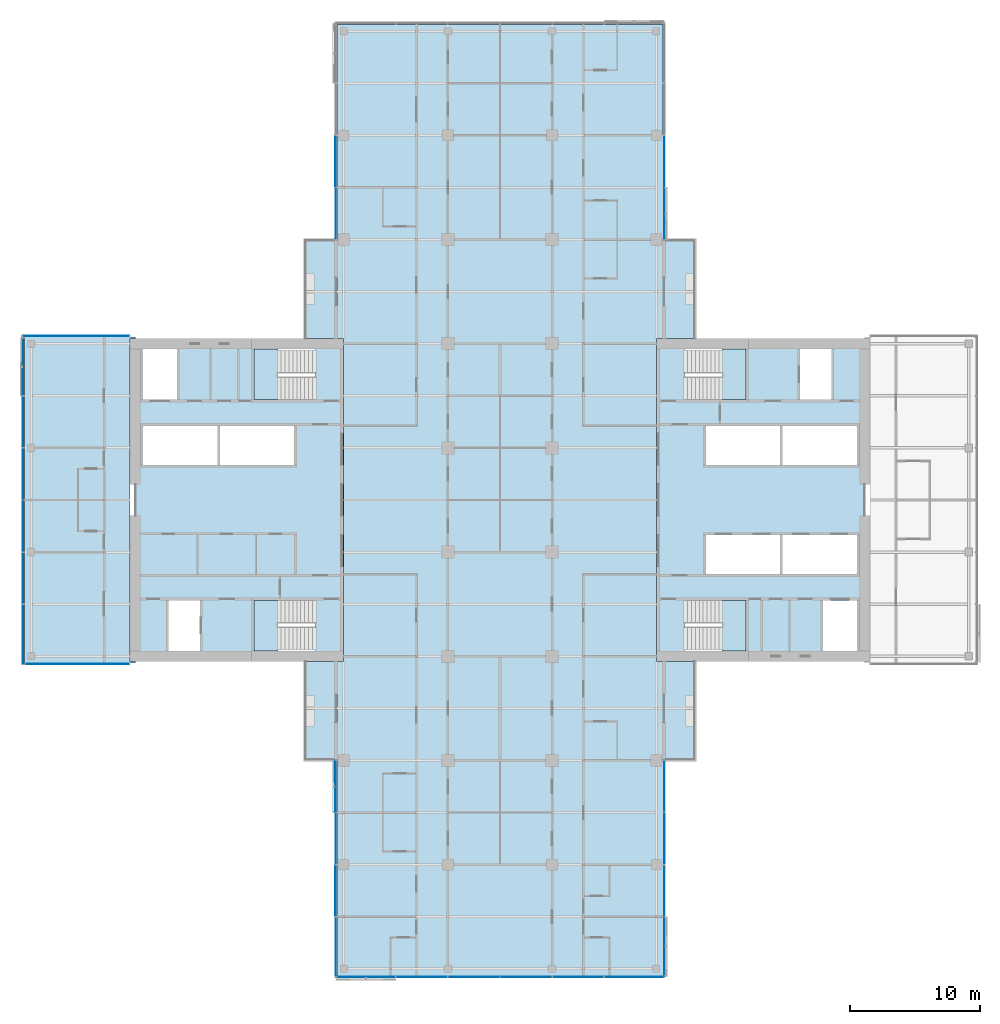
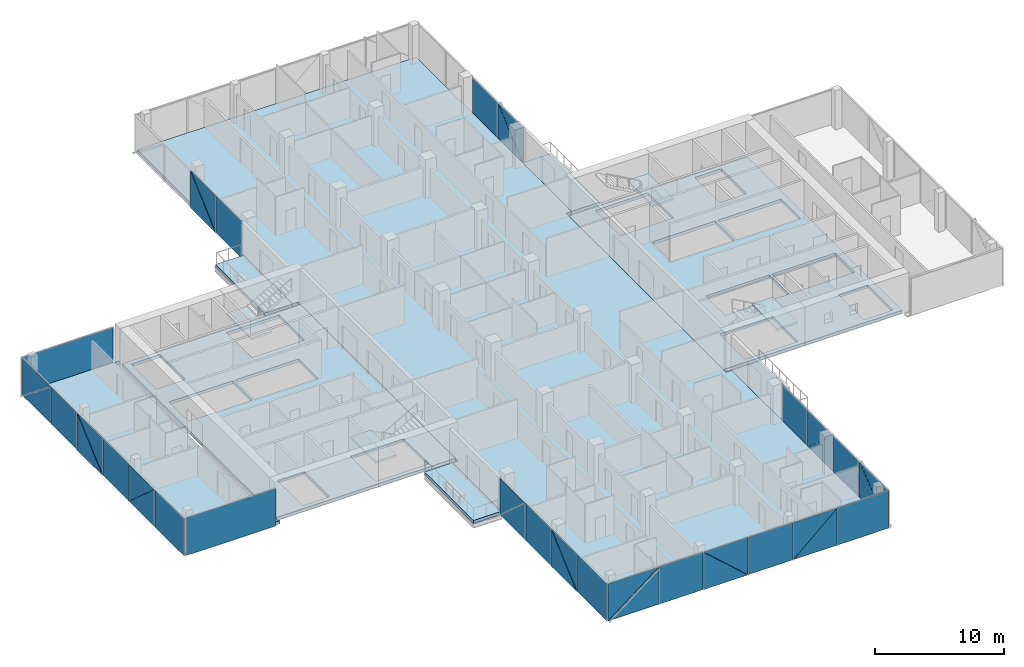
# One storey, part 13 of 27: 38 plates, 12 slabs, 12 elements without a shape of their own.
"""IFC4 building model written with IfcOpenShell, lengths in metres."""

from ifc_helpers import new_model, si_unit, direction, frame, origin, place, context, subcontext, project, spatial, polyline, outline, extrude, material, layer, layer_set, type_object, element, aggregate, save


model = new_model("IFC4")

# Units and contexts
model_context = context("Model", 3, precision=1e-05, world=origin(), true_north=direction((0.0, 1.0)))
body_context = subcontext(model_context, "Body", "Model", "MODEL_VIEW")
ifc_project = project(units=[si_unit("LENGTHUNIT", "METRE"), si_unit("AREAUNIT", "SQUARE_METRE"), si_unit("VOLUMEUNIT", "CUBIC_METRE"), si_unit("PLANEANGLEUNIT", "RADIAN"), si_unit("MASSUNIT", "GRAM", prefix="KILO")], contexts=[model_context])

# Site, building, storey
site_placement = place(None, origin())
site = spatial("IfcSite", under=ifc_project, at=site_placement, CompositionType="ELEMENT")
building_placement = place(site_placement, origin())
building = spatial("IfcBuilding", under=site, at=building_placement, Name="Crosswind Convention Tower", CompositionType="ELEMENT")
storey_placement = place(building_placement, frame((0.0, 0.0, 101.60009765625)))
storey = spatial("IfcBuildingStorey", under=building, at=storey_placement, Name="L20", CompositionType="ELEMENT", Elevation=101.60009765625)

# Slabs
ifc_material_1 = material(Name="Concrete C40/50", Category="concrete")
ifc_layer_1 = layer(ifc_material_1, 0.280029296875)
ifc_layer_set_1 = layer_set([ifc_layer_1], Name="Concrete C40/50")
slab_type_1 = type_object("IfcSlabType", Name="BALCONY SLAB 280", PredefinedType="USERDEFINED", material=ifc_layer_set_1)
slab_1_placement = place(storey_placement, frame((0.0, 0.0, -0.280029296875)))
element("IfcSlab", 1, at=slab_1_placement, inside=storey, type_object=slab_type_1, Name="BALCONY L20 N-E.1-1", ObjectType="BALCONY", PredefinedType="USERDEFINED", context=body_context, shape_type="SweptSolid", body=[
    extrude(outline(polyline([(137.5, 112.39990234375), (137.5, 120.0), (140.0, 120.0), (140.0, 112.39990234375), (137.5, 112.39990234375)])), origin(), (0.0, 0.0, 1.0), 0.280029296875),
])
slab_2_placement = place(storey_placement, frame((0.0, 0.0, -0.280029296875)))
element("IfcSlab", 2, at=slab_2_placement, inside=storey, type_object=slab_type_1, Name="BALCONY L20 N-W.1-3", ObjectType="BALCONY", PredefinedType="USERDEFINED", context=body_context, shape_type="SweptSolid", body=[
    extrude(outline(polyline([(112.5, 120.0), (112.5, 112.39990234375), (110.0, 112.39990234375), (110.0, 120.0), (112.5, 120.0)])), origin(), (0.0, 0.0, 1.0), 0.280029296875),
])
slab_3_placement = place(storey_placement, frame((0.0, 0.0, -0.280029296875)))
element("IfcSlab", 3, at=slab_3_placement, inside=storey, type_object=slab_type_1, Name="BALCONY L20 S-W.1-1", ObjectType="BALCONY", PredefinedType="USERDEFINED", context=body_context, shape_type="SweptSolid", body=[
    extrude(outline(polyline([(112.5, 87.60009765625), (112.5, 80.0), (110.0, 80.0), (110.0, 87.60009765625), (112.5, 87.60009765625)])), origin(), (0.0, 0.0, 1.0), 0.280029296875),
])
slab_4_placement = place(storey_placement, frame((0.0, 0.0, -0.280029296875)))
element("IfcSlab", 4, at=slab_4_placement, inside=storey, type_object=slab_type_1, Name="BALCONY L20 S-E.1-3", ObjectType="BALCONY", PredefinedType="USERDEFINED", context=body_context, shape_type="SweptSolid", body=[
    extrude(outline(polyline([(137.5, 80.0), (137.5, 87.60009765625), (140.0, 87.60009765625), (140.0, 80.0), (137.5, 80.0)])), origin(), (0.0, 0.0, 1.0), 0.280029296875),
])
ifc_layer_2 = layer(ifc_material_1, 0.280029296875)
ifc_layer_set_2 = layer_set([ifc_layer_2], Name="Concrete C40/50")
slab_type_2 = type_object("IfcSlabType", Name="Composite floor slab 280", PredefinedType="FLOOR", material=ifc_layer_set_2)
slab_5_placement = place(storey_placement, frame((0.0, 0.0, -0.280029296875)))
element("IfcSlab", 5, at=slab_5_placement, inside=storey, type_object=slab_type_2, Name="Floor slab L20 part 1", PredefinedType="FLOOR", context=body_context, shape_type="SweptSolid", body=[
    extrude(outline(polyline([(97.0, 87.5), (89.0, 87.5), (88.5, 87.5), (88.5, 88.0), (88.5, 112.0), (88.5, 112.5), (89.0, 112.5), (97.0, 112.5), (97.0, 112.39990234375), (96.60009765625, 112.39990234375), (96.60009765625, 87.60009765625), (97.0, 87.60009765625), (97.0, 87.5)])), origin(), (0.0, 0.0, 1.0), 0.280029296875),
])
slab_6_placement = place(storey_placement, frame((0.0, 0.0, -0.280029296875)))
element("IfcSlab", 6, at=slab_6_placement, inside=storey, type_object=slab_type_2, Name="Floor slab L20 part 2", PredefinedType="FLOOR", context=body_context, shape_type="SweptSolid", body=[
    extrude(outline(polyline([(112.5, 87.60009765625), (113.0, 87.60009765625), (113.0, 112.39990234375), (112.5, 112.39990234375), (112.5, 136.0), (112.5, 136.5), (113.0, 136.5), (137.0, 136.5), (137.5, 136.5), (137.5, 136.0), (137.5, 112.39990234375), (137.0, 112.39990234375), (137.0, 87.60009765625), (137.5, 87.60009765625), (137.5, 64.0), (137.5, 63.5), (137.0, 63.5), (113.0, 63.5), (112.5, 63.5), (112.5, 64.0), (112.5, 87.60009765625)])), origin(), (0.0, 0.0, 1.0), 0.280029296875),
])
ifc_layer_3 = layer(ifc_material_1, 0.280029296875)
ifc_layer_set_3 = layer_set([ifc_layer_3], Name="Concrete C40/50")
slab_type_3 = type_object("IfcSlabType", Name="Concrete core floor slab 280", PredefinedType="FLOOR", material=ifc_layer_set_3)
slab_7_placement = place(storey_placement, frame((0.0, 0.0, -0.280029296875)))
element("IfcSlab", 7, at=slab_7_placement, inside=storey, type_object=slab_type_3, Name="Core floor slab E L20", PredefinedType="FLOOR", context=body_context, shape_type="SweptSolid", body=[
    extrude(outline(polyline([(137.0, 88.0), (153.0, 88.0), (153.0, 112.0), (137.0, 112.0), (137.0, 88.0)]), holes=[polyline([(146.5, 102.699951171875), (146.5, 105.699951171875), (140.800048828125, 105.699951171875), (140.800048828125, 102.699951171875), (146.5, 102.699951171875)]), polyline([(152.39990234375, 102.699951171875), (152.39990234375, 105.699951171875), (146.699951171875, 105.699951171875), (146.699951171875, 102.699951171875), (152.39990234375, 102.699951171875)]), polyline([(146.5, 94.300048828125), (146.5, 97.300048828125), (140.800048828125, 97.300048828125), (140.800048828125, 94.300048828125), (146.5, 94.300048828125)]), polyline([(152.39990234375, 94.300048828125), (152.39990234375, 97.300048828125), (146.699951171875, 97.300048828125), (146.699951171875, 94.300048828125), (152.39990234375, 94.300048828125)]), polyline([(150.449951171875, 107.699951171875), (150.449951171875, 111.60009765625), (148.050048828125, 111.60009765625), (148.050048828125, 107.699951171875), (150.449951171875, 107.699951171875)]), polyline([(152.39990234375, 88.39990234375), (152.39990234375, 92.300048828125), (149.800048828125, 92.300048828125), (149.800048828125, 88.39990234375), (152.39990234375, 88.39990234375)]), polyline([(143.89990234375, 107.699951171875), (143.89990234375, 111.60009765625), (139.14990234375, 111.60009765625), (139.14990234375, 107.699951171875), (143.89990234375, 107.699951171875)]), polyline([(143.89990234375, 88.39990234375), (143.89990234375, 92.300048828125), (139.14990234375, 92.300048828125), (139.14990234375, 88.39990234375), (143.89990234375, 88.39990234375)])]), origin(), (0.0, 0.0, 1.0), 0.280029296875),
])
slab_8_placement = place(storey_placement, frame((0.0, 0.0, -0.280029296875)))
element("IfcSlab", 8, at=slab_8_placement, inside=storey, type_object=slab_type_3, Name="Core floor slab W L20", PredefinedType="FLOOR", context=body_context, shape_type="SweptSolid", body=[
    extrude(outline(polyline([(97.0, 88.0), (113.0, 88.0), (113.0, 112.0), (97.0, 112.0), (97.0, 88.0)]), holes=[polyline([(109.199951171875, 102.699951171875), (109.199951171875, 105.699951171875), (103.5, 105.699951171875), (103.5, 102.699951171875), (109.199951171875, 102.699951171875)]), polyline([(103.300048828125, 102.699951171875), (103.300048828125, 105.699951171875), (97.60009765625, 105.699951171875), (97.60009765625, 102.699951171875), (103.300048828125, 102.699951171875)]), polyline([(101.949951171875, 88.39990234375), (101.949951171875, 92.300048828125), (99.550048828125, 92.300048828125), (99.550048828125, 88.39990234375), (101.949951171875, 88.39990234375)]), polyline([(100.199951171875, 107.699951171875), (100.199951171875, 111.60009765625), (97.60009765625, 111.60009765625), (97.60009765625, 107.699951171875), (100.199951171875, 107.699951171875)]), polyline([(110.85009765625, 88.39990234375), (110.85009765625, 92.300048828125), (106.10009765625, 92.300048828125), (106.10009765625, 88.39990234375), (110.85009765625, 88.39990234375)]), polyline([(110.85009765625, 107.699951171875), (110.85009765625, 111.60009765625), (106.10009765625, 111.60009765625), (106.10009765625, 107.699951171875), (110.85009765625, 107.699951171875)])]), origin(), (0.0, 0.0, 1.0), 0.280029296875),
])

# Stair, slab
stair_type = type_object("IfcStairType", Name="Exit stair 1800 wide, 2 flights of 11 risers", PredefinedType="HALF_TURN_STAIR", material=ifc_material_1)
stair_1_placement = place(storey_placement, origin())
stair_1 = element("IfcStair", 9, at=stair_1_placement, inside=storey, type_object=stair_type, Name="Exit stair ST1 L20", ObjectType="ST5", PredefinedType="HALF_TURN_STAIR")
ifc_layer_4 = layer(ifc_material_1, 0.199951171875)
ifc_layer_set_4 = layer_set([ifc_layer_4], Name="Concrete C40/50")
slab_type_4 = type_object("IfcSlabType", Name="Stair landing 200", PredefinedType="LANDING", material=ifc_layer_set_4)
slab_9_placement = place(storey_placement, frame((0.0, 0.0, 1.64990234375)))
slab_9 = element("IfcSlab", 10, at=slab_9_placement, type_object=slab_type_4, Name="ST1 landing 1", PredefinedType="LANDING", context=body_context, shape_type="SweptSolid", body=[
    extrude(outline(polyline([(143.89990234375, 107.699951171875), (143.89990234375, 111.60009765625), (142.050048828125, 111.60009765625), (142.050048828125, 107.699951171875), (143.89990234375, 107.699951171875)])), origin(), (0.0, 0.0, 1.0), 0.199951171875),
])
aggregate(stair_1, [slab_9])

stair_2_placement = place(storey_placement, origin())
stair_2 = element("IfcStair", 11, at=stair_2_placement, inside=storey, type_object=stair_type, Name="Exit stair ST2 L20", ObjectType="ST5", PredefinedType="HALF_TURN_STAIR")
slab_10_placement = place(storey_placement, frame((0.0, 0.0, 1.64990234375)))
slab_10 = element("IfcSlab", 12, at=slab_10_placement, type_object=slab_type_4, Name="ST2 landing 1", PredefinedType="LANDING", context=body_context, shape_type="SweptSolid", body=[
    extrude(outline(polyline([(143.89990234375, 88.39990234375), (143.89990234375, 92.300048828125), (142.050048828125, 92.300048828125), (142.050048828125, 88.39990234375), (143.89990234375, 88.39990234375)])), origin(), (0.0, 0.0, 1.0), 0.199951171875),
])
aggregate(stair_2, [slab_10])

stair_3_placement = place(storey_placement, origin())
stair_3 = element("IfcStair", 13, at=stair_3_placement, inside=storey, type_object=stair_type, Name="Exit stair ST3 L20", ObjectType="ST5", PredefinedType="HALF_TURN_STAIR")
slab_11_placement = place(storey_placement, frame((0.0, 0.0, 1.64990234375)))
slab_11 = element("IfcSlab", 14, at=slab_11_placement, type_object=slab_type_4, Name="ST3 landing 1", PredefinedType="LANDING", context=body_context, shape_type="SweptSolid", body=[
    extrude(outline(polyline([(107.949951171875, 88.39990234375), (107.949951171875, 92.300048828125), (106.10009765625, 92.300048828125), (106.10009765625, 88.39990234375), (107.949951171875, 88.39990234375)])), origin(), (0.0, 0.0, 1.0), 0.199951171875),
])
aggregate(stair_3, [slab_11])

stair_4_placement = place(storey_placement, origin())
stair_4 = element("IfcStair", 15, at=stair_4_placement, inside=storey, type_object=stair_type, Name="Exit stair ST4 L20", ObjectType="ST5", PredefinedType="HALF_TURN_STAIR")
slab_12_placement = place(storey_placement, frame((0.0, 0.0, 1.64990234375)))
slab_12 = element("IfcSlab", 16, at=slab_12_placement, type_object=slab_type_4, Name="ST4 landing 1", PredefinedType="LANDING", context=body_context, shape_type="SweptSolid", body=[
    extrude(outline(polyline([(107.949951171875, 107.699951171875), (107.949951171875, 111.60009765625), (106.10009765625, 111.60009765625), (106.10009765625, 107.699951171875), (107.949951171875, 107.699951171875)])), origin(), (0.0, 0.0, 1.0), 0.199951171875),
])
aggregate(stair_4, [slab_12])

# Curtain wall, plate
ifc_material_2 = material(Name="Aluminium unitised curtain wall", Category="aluminium")
curtain_wall_type_1 = type_object("IfcCurtainWallType", Name="CORE END SLOT WALL 160", PredefinedType="USERDEFINED", material=ifc_material_2)
curtain_wall_1_placement = place(storey_placement, origin())
curtain_wall_1 = element("IfcCurtainWall", 17, at=curtain_wall_1_placement, inside=storey, type_object=curtain_wall_type_1, Name="CW6 L20 W-N.2-1 slot", ObjectType="UNITISED", PredefinedType="USERDEFINED")
ifc_material_3 = material(Name="Laminated insulating glass unit", Category="glass")
ifc_layer_5 = layer(ifc_material_3, 0.02587890625)
ifc_layer_set_5 = layer_set([ifc_layer_5], Name="TRIANGULAR GLASS PANEL 26")
plate_type_1 = type_object("IfcPlateType", Name="TRIANGULAR GLASS PANEL 26", PredefinedType="CURTAIN_PANEL", material=ifc_layer_set_5)
plate_1_placement = place(storey_placement, frame((96.550048828125, 112.606689453125, -0.280029296875), z_axis=(0.0, 0.999999913901, 0.000414966421), x_axis=(-1.0, 0.0, 0.0)))
plate_1 = element("IfcPlate", 18, at=plate_1_placement, type_object=plate_type_1, Name="CW6 panel 1.1", PredefinedType="CURTAIN_PANEL", context=body_context, shape_type="SweptSolid", body=[
    extrude(outline(polyline([(0.0, 0.0), (8.199951171875, 0.0), (8.199951171875, 3.5300296008054977), (0.0, 3.5300296008054977), (0.0, 0.0)])), origin(), (0.0, 0.0, -1.0), 0.02587890625),
])
aggregate(curtain_wall_1, [plate_1])

curtain_wall_2_placement = place(storey_placement, origin())
curtain_wall_2 = element("IfcCurtainWall", 19, at=curtain_wall_2_placement, inside=storey, type_object=curtain_wall_type_1, Name="CW6 L20 W-S.1-1 slot", ObjectType="UNITISED", PredefinedType="USERDEFINED")
plate_2_placement = place(storey_placement, frame((88.550048828125, 87.393310546875, -0.280029296875), z_axis=(0.0, -0.999999913901, 0.000414966421), x_axis=(1.0, 0.0, 0.0)))
plate_2 = element("IfcPlate", 20, at=plate_2_placement, type_object=plate_type_1, Name="CW6 panel 1.1", PredefinedType="CURTAIN_PANEL", context=body_context, shape_type="SweptSolid", body=[
    extrude(outline(polyline([(0.0, 0.0), (8.0, 0.0), (8.0, 3.5300296008054977), (0.0, 3.5300296008054977), (0.0, 0.0)])), origin(), (0.0, 0.0, -1.0), 0.02587890625),
])
aggregate(curtain_wall_2, [plate_2])

# Curtain wall, plates
curtain_wall_type_2 = type_object("IfcCurtainWallType", Name="HOTEL UNITISED WALL 200", PredefinedType="USERDEFINED", material=ifc_material_2)
curtain_wall_3_placement = place(storey_placement, origin())
curtain_wall_3 = element("IfcCurtainWall", 21, at=curtain_wall_3_placement, inside=storey, type_object=curtain_wall_type_2, Name="CW2 L20 N-E 1", ObjectType="UNITISED", PredefinedType="USERDEFINED")
ifc_layer_6 = layer(ifc_material_3, 0.028076171875)
ifc_layer_set_6 = layer_set([ifc_layer_6], Name="TRIANGULAR GLASS PANEL 28")
plate_type_2 = type_object("IfcPlateType", Name="TRIANGULAR GLASS PANEL 28", PredefinedType="CURTAIN_PANEL", material=ifc_layer_set_6)
plate_3_placement = place(storey_placement, frame((137.628662109375, 123.967529296875, -0.280029296875), z_axis=(0.999999912491, 0.0, 0.000418351658), x_axis=(-0.000418351658, 0.0, 0.999999912491)))
plate_3 = element("IfcPlate", 22, at=plate_3_placement, type_object=plate_type_2, Name="CW2 panel 1.1", PredefinedType="CURTAIN_PANEL", context=body_context, shape_type="SweptSolid", body=[
    extrude(outline(polyline([(0.0, 0.0), (3.5014651501599188, 0.0), (0.0, 3.919921875), (0.0, 0.0)])), origin(), (0.0, 0.0, -1.0), 0.028076171875),
])
plate_4_placement = place(storey_placement, frame((137.6572265625, 120.032470703125, 3.23486328125), z_axis=(0.999999912491, 0.0, 0.000418351658), x_axis=(0.000418351658, 0.0, -0.999999912491)))
plate_4 = element("IfcPlate", 23, at=plate_4_placement, type_object=plate_type_2, Name="CW2 panel 1.2", PredefinedType="CURTAIN_PANEL", context=body_context, shape_type="SweptSolid", body=[
    extrude(outline(polyline([(0.0, 0.0), (3.5014651501599188, 0.0), (0.0, 3.919921875), (0.0, 0.0)])), origin(), (0.0, 0.0, -1.0), 0.028076171875),
])
plate_5_placement = place(storey_placement, frame((137.628662109375, 124.032470703125, -0.280029296875), z_axis=(0.999999913158, 0.0, 0.000416753454), x_axis=(0.0, 1.0, 0.0)))
plate_5 = element("IfcPlate", 24, at=plate_5_placement, type_object=plate_type_2, Name="CW2 panel 2.1", PredefinedType="CURTAIN_PANEL", context=body_context, shape_type="SweptSolid", body=[
    extrude(outline(polyline([(0.0, 0.0), (3.93505859375, 0.0), (3.93505859375, 3.514892883364359), (0.0, 3.514892883364359), (0.0, 0.0)])), origin(), (0.0, 0.0, -1.0), 0.028076171875),
])
aggregate(curtain_wall_3, [plate_3, plate_4, plate_5])

curtain_wall_4_placement = place(storey_placement, origin())
curtain_wall_4 = element("IfcCurtainWall", 25, at=curtain_wall_4_placement, inside=storey, type_object=curtain_wall_type_2, Name="CW2 L20 N-W 1", ObjectType="UNITISED", PredefinedType="USERDEFINED")
plate_6_placement = place(storey_placement, frame((112.372802734375, 124.032470703125, 3.23486328125), z_axis=(-0.999999912491, 0.0, 0.000418351658), x_axis=(0.0, 1.0, 0.0)))
plate_6 = element("IfcPlate", 26, at=plate_6_placement, type_object=plate_type_2, Name="CW2 panel 3.1", PredefinedType="CURTAIN_PANEL", context=body_context, shape_type="SweptSolid", body=[
    extrude(outline(polyline([(0.0, 0.0), (3.919921875, 0.0), (0.0, 3.5014651501599188), (0.0, 0.0)])), origin(), (0.0, 0.0, -1.0), 0.028076171875),
])
plate_7_placement = place(storey_placement, frame((112.34130859375, 127.967529296875, -0.280029296875), z_axis=(-0.999999912491, 0.0, 0.000418351658), x_axis=(0.0, -1.0, 0.0)))
plate_7 = element("IfcPlate", 27, at=plate_7_placement, type_object=plate_type_2, Name="CW2 panel 3.2", PredefinedType="CURTAIN_PANEL", context=body_context, shape_type="SweptSolid", body=[
    extrude(outline(polyline([(0.0, 0.0), (3.919921875, 0.0), (0.0, 3.5014651501599188), (0.0, 0.0)])), origin(), (0.0, 0.0, -1.0), 0.028076171875),
])
plate_8_placement = place(storey_placement, frame((112.371337890625, 123.967529296875, -0.280029296875), z_axis=(-0.999999913158, 0.0, 0.000416753454), x_axis=(0.0, -1.0, 0.0)))
plate_8 = element("IfcPlate", 28, at=plate_8_placement, type_object=plate_type_2, Name="CW2 panel 4.1", PredefinedType="CURTAIN_PANEL", context=body_context, shape_type="SweptSolid", body=[
    extrude(outline(polyline([(0.0, 0.0), (3.93505859375, 0.0), (3.93505859375, 3.514892883364359), (0.0, 3.514892883364359), (0.0, 0.0)])), origin(), (0.0, 0.0, -1.0), 0.028076171875),
])
aggregate(curtain_wall_4, [plate_6, plate_7, plate_8])

curtain_wall_5_placement = place(storey_placement, origin())
curtain_wall_5 = element("IfcCurtainWall", 29, at=curtain_wall_5_placement, inside=storey, type_object=curtain_wall_type_2, Name="CW2 L20 W-TIP 1", ObjectType="UNITISED", PredefinedType="USERDEFINED")
plate_9_placement = place(storey_placement, frame((88.371337890625, 108.032470703125, -0.280029296875), z_axis=(-0.999999912528, 0.0, 0.000418264167), x_axis=(0.000418264167, 0.0, 0.999999912528)))
plate_9 = element("IfcPlate", 30, at=plate_9_placement, type_object=plate_type_2, Name="CW2 panel 1.1", PredefinedType="CURTAIN_PANEL", context=body_context, shape_type="SweptSolid", body=[
    extrude(outline(polyline([(0.0, 0.0), (3.502197571970839, 0.0), (0.0, 4.386474609375001), (0.0, 0.0)])), origin(), (0.0, 0.0, -1.0), 0.028076171875),
])
plate_10_placement = place(storey_placement, frame((88.3427734375, 112.43505859375, 3.23486328125), z_axis=(-0.999999912528, 0.0, 0.000418264167), x_axis=(-0.000418264167, 0.0, -0.999999912528)))
plate_10 = element("IfcPlate", 31, at=plate_10_placement, type_object=plate_type_2, Name="CW2 panel 1.2", PredefinedType="CURTAIN_PANEL", context=body_context, shape_type="SweptSolid", body=[
    extrude(outline(polyline([(0.0, 0.0), (3.502197571970839, 0.0), (0.0, 4.386474609375001), (0.0, 0.0)])), origin(), (0.0, 0.0, -1.0), 0.028076171875),
])
plate_11_placement = place(storey_placement, frame((88.371337890625, 107.967529296875, -0.280029296875), z_axis=(-0.999999913158, 0.0, 0.000416753454), x_axis=(0.0, -1.0, 0.0)))
plate_11 = element("IfcPlate", 32, at=plate_11_placement, type_object=plate_type_2, Name="CW2 panel 2.1", PredefinedType="CURTAIN_PANEL", context=body_context, shape_type="SweptSolid", body=[
    extrude(outline(polyline([(0.0, 0.0), (3.93505859375, 0.0), (3.93505859375, 3.514892883364359), (0.0, 3.514892883364359), (0.0, 0.0)])), origin(), (0.0, 0.0, -1.0), 0.028076171875),
])
plate_12_placement = place(storey_placement, frame((88.372802734375, 100.032470703125, 3.23486328125), z_axis=(-0.999999912491, 0.0, 0.000418351658), x_axis=(0.0, 1.0, 0.0)))
plate_12 = element("IfcPlate", 33, at=plate_12_placement, type_object=plate_type_2, Name="CW2 panel 3.1", PredefinedType="CURTAIN_PANEL", context=body_context, shape_type="SweptSolid", body=[
    extrude(outline(polyline([(0.0, 0.0), (3.919921875, 0.0), (0.0, 3.5014651501599188), (0.0, 0.0)])), origin(), (0.0, 0.0, -1.0), 0.028076171875),
])
plate_13_placement = place(storey_placement, frame((88.34130859375, 103.967529296875, -0.280029296875), z_axis=(-0.999999912491, 0.0, 0.000418351658), x_axis=(0.0, -1.0, 0.0)))
plate_13 = element("IfcPlate", 34, at=plate_13_placement, type_object=plate_type_2, Name="CW2 panel 3.2", PredefinedType="CURTAIN_PANEL", context=body_context, shape_type="SweptSolid", body=[
    extrude(outline(polyline([(0.0, 0.0), (3.919921875, 0.0), (0.0, 3.5014651501599188), (0.0, 0.0)])), origin(), (0.0, 0.0, -1.0), 0.028076171875),
])
plate_14_placement = place(storey_placement, frame((88.371337890625, 99.967529296875, -0.280029296875), z_axis=(-0.999999913158, 0.0, 0.000416753454), x_axis=(0.0, -1.0, 0.0)))
plate_14 = element("IfcPlate", 35, at=plate_14_placement, type_object=plate_type_2, Name="CW2 panel 4.1", PredefinedType="CURTAIN_PANEL", context=body_context, shape_type="SweptSolid", body=[
    extrude(outline(polyline([(0.0, 0.0), (3.93505859375, 0.0), (3.93505859375, 3.514892883364359), (0.0, 3.514892883364359), (0.0, 0.0)])), origin(), (0.0, 0.0, -1.0), 0.028076171875),
])
plate_15_placement = place(storey_placement, frame((88.371337890625, 92.032470703125, -0.280029296875), z_axis=(-0.999999912491, 0.0, 0.000418351658), x_axis=(0.000418351658, 0.0, 0.999999912491)))
plate_15 = element("IfcPlate", 36, at=plate_15_placement, type_object=plate_type_2, Name="CW2 panel 5.1", PredefinedType="CURTAIN_PANEL", context=body_context, shape_type="SweptSolid", body=[
    extrude(outline(polyline([(0.0, 0.0), (3.5014651501599188, 0.0), (0.0, 3.919921875), (0.0, 0.0)])), origin(), (0.0, 0.0, -1.0), 0.028076171875),
])
plate_16_placement = place(storey_placement, frame((88.3427734375, 95.967529296875, 3.23486328125), z_axis=(-0.999999912491, 0.0, 0.000418351658), x_axis=(-0.000418351658, 0.0, -0.999999912491)))
plate_16 = element("IfcPlate", 37, at=plate_16_placement, type_object=plate_type_2, Name="CW2 panel 5.2", PredefinedType="CURTAIN_PANEL", context=body_context, shape_type="SweptSolid", body=[
    extrude(outline(polyline([(0.0, 0.0), (3.5014651501599188, 0.0), (0.0, 3.919921875), (0.0, 0.0)])), origin(), (0.0, 0.0, -1.0), 0.028076171875),
])
plate_17_placement = place(storey_placement, frame((88.371337890625, 91.967529296875, -0.280029296875), z_axis=(-0.999999913158, 0.0, 0.000416753454), x_axis=(0.0, -1.0, 0.0)))
plate_17 = element("IfcPlate", 38, at=plate_17_placement, type_object=plate_type_2, Name="CW2 panel 6.1", PredefinedType="CURTAIN_PANEL", context=body_context, shape_type="SweptSolid", body=[
    extrude(outline(polyline([(0.0, 0.0), (4.5625, 0.0), (4.5625, 3.514892883364359), (0.0, 3.514892883364359), (0.0, 0.0)])), origin(), (0.0, 0.0, -1.0), 0.028076171875),
])
aggregate(curtain_wall_5, [plate_9, plate_10, plate_11, plate_12, plate_13, plate_14, plate_15, plate_16, plate_17])

curtain_wall_6_placement = place(storey_placement, origin())
curtain_wall_6 = element("IfcCurtainWall", 39, at=curtain_wall_6_placement, inside=storey, type_object=curtain_wall_type_2, Name="CW2 L20 S-W 1", ObjectType="UNITISED", PredefinedType="USERDEFINED")
plate_18_placement = place(storey_placement, frame((112.371337890625, 76.032470703125, -0.280029296875), z_axis=(-0.999999912491, 0.0, 0.000418351658), x_axis=(0.000418351658, 0.0, 0.999999912491)))
plate_18 = element("IfcPlate", 40, at=plate_18_placement, type_object=plate_type_2, Name="CW2 panel 1.1", PredefinedType="CURTAIN_PANEL", context=body_context, shape_type="SweptSolid", body=[
    extrude(outline(polyline([(0.0, 0.0), (3.5014651501599188, 0.0), (0.0, 3.919921875), (0.0, 0.0)])), origin(), (0.0, 0.0, -1.0), 0.028076171875),
])
plate_19_placement = place(storey_placement, frame((112.3427734375, 79.967529296875, 3.23486328125), z_axis=(-0.999999912491, 0.0, 0.000418351658), x_axis=(-0.000418351658, 0.0, -0.999999912491)))
plate_19 = element("IfcPlate", 41, at=plate_19_placement, type_object=plate_type_2, Name="CW2 panel 1.2", PredefinedType="CURTAIN_PANEL", context=body_context, shape_type="SweptSolid", body=[
    extrude(outline(polyline([(0.0, 0.0), (3.5014651501599188, 0.0), (0.0, 3.919921875), (0.0, 0.0)])), origin(), (0.0, 0.0, -1.0), 0.028076171875),
])
plate_20_placement = place(storey_placement, frame((112.371337890625, 75.967529296875, -0.280029296875), z_axis=(-0.999999913158, 0.0, 0.000416753454), x_axis=(0.0, -1.0, 0.0)))
plate_20 = element("IfcPlate", 42, at=plate_20_placement, type_object=plate_type_2, Name="CW2 panel 2.1", PredefinedType="CURTAIN_PANEL", context=body_context, shape_type="SweptSolid", body=[
    extrude(outline(polyline([(0.0, 0.0), (3.93505859375, 0.0), (3.93505859375, 3.514892883364359), (0.0, 3.514892883364359), (0.0, 0.0)])), origin(), (0.0, 0.0, -1.0), 0.028076171875),
])
plate_21_placement = place(storey_placement, frame((112.372802734375, 68.032470703125, 3.23486328125), z_axis=(-0.999999912491, 0.0, 0.000418351658), x_axis=(0.0, 1.0, 0.0)))
plate_21 = element("IfcPlate", 43, at=plate_21_placement, type_object=plate_type_2, Name="CW2 panel 3.1", PredefinedType="CURTAIN_PANEL", context=body_context, shape_type="SweptSolid", body=[
    extrude(outline(polyline([(0.0, 0.0), (3.919921875, 0.0), (0.0, 3.5014651501599188), (0.0, 0.0)])), origin(), (0.0, 0.0, -1.0), 0.028076171875),
])
plate_22_placement = place(storey_placement, frame((112.34130859375, 71.967529296875, -0.280029296875), z_axis=(-0.999999912491, 0.0, 0.000418351658), x_axis=(0.0, -1.0, 0.0)))
plate_22 = element("IfcPlate", 44, at=plate_22_placement, type_object=plate_type_2, Name="CW2 panel 3.2", PredefinedType="CURTAIN_PANEL", context=body_context, shape_type="SweptSolid", body=[
    extrude(outline(polyline([(0.0, 0.0), (3.919921875, 0.0), (0.0, 3.5014651501599188), (0.0, 0.0)])), origin(), (0.0, 0.0, -1.0), 0.028076171875),
])
plate_23_placement = place(storey_placement, frame((112.371337890625, 67.967529296875, -0.280029296875), z_axis=(-0.999999913158, 0.0, 0.000416753454), x_axis=(0.0, -1.0, 0.0)))
plate_23 = element("IfcPlate", 45, at=plate_23_placement, type_object=plate_type_2, Name="CW2 panel 4.1", PredefinedType="CURTAIN_PANEL", context=body_context, shape_type="SweptSolid", body=[
    extrude(outline(polyline([(0.0, 0.0), (4.534912109375, 0.0), (4.534912109375, 3.514892883364359), (0.0, 3.514892883364359), (0.0, 0.0)])), origin(), (0.0, 0.0, -1.0), 0.028076171875),
])
aggregate(curtain_wall_6, [plate_18, plate_19, plate_20, plate_21, plate_22, plate_23])

curtain_wall_7_placement = place(storey_placement, origin())
curtain_wall_7 = element("IfcCurtainWall", 46, at=curtain_wall_7_placement, inside=storey, type_object=curtain_wall_type_2, Name="CW2 L20 S-TIP 1", ObjectType="UNITISED", PredefinedType="USERDEFINED")
plate_24_placement = place(storey_placement, frame((116.967529296875, 63.371337890625, -0.280029296875), z_axis=(0.0, -0.999999912528, 0.000418264167), x_axis=(0.0, 0.000418264167, 0.999999912528)))
plate_24 = element("IfcPlate", 47, at=plate_24_placement, type_object=plate_type_2, Name="CW2 panel 1.1", PredefinedType="CURTAIN_PANEL", context=body_context, shape_type="SweptSolid", body=[
    extrude(outline(polyline([(0.0, 0.0), (3.502197571970839, 0.0), (0.0, 4.518798828125), (0.0, 0.0)])), origin(), (0.0, 0.0, -1.0), 0.028076171875),
])
plate_25_placement = place(storey_placement, frame((112.4326171875, 63.3427734375, 3.23486328125), z_axis=(0.0, -0.999999912528, 0.000418264167), x_axis=(0.0, -0.000418264167, -0.999999912528)))
plate_25 = element("IfcPlate", 48, at=plate_25_placement, type_object=plate_type_2, Name="CW2 panel 1.2", PredefinedType="CURTAIN_PANEL", context=body_context, shape_type="SweptSolid", body=[
    extrude(outline(polyline([(0.0, 0.0), (3.502197571970839, 0.0), (0.0, 4.5185546875), (0.0, 0.0)])), origin(), (0.0, 0.0, -1.0), 0.028076171875),
])
plate_26_placement = place(storey_placement, frame((117.032470703125, 63.371337890625, -0.280029296875), z_axis=(0.0, -0.999999913158, 0.000416753454), x_axis=(1.0, 0.0, 0.0)))
plate_26 = element("IfcPlate", 49, at=plate_26_placement, type_object=plate_type_2, Name="CW2 panel 2.1", PredefinedType="CURTAIN_PANEL", context=body_context, shape_type="SweptSolid", body=[
    extrude(outline(polyline([(0.0, 0.0), (3.93505859375, 0.0), (3.93505859375, 3.514892883364359), (0.0, 3.514892883364359), (0.0, 0.0)])), origin(), (0.0, 0.0, -1.0), 0.028076171875),
])
plate_27_placement = place(storey_placement, frame((124.967529296875, 63.372802734375, 3.23486328125), z_axis=(0.0, -0.999999912491, 0.000418351658), x_axis=(-1.0, 0.0, 0.0)))
plate_27 = element("IfcPlate", 50, at=plate_27_placement, type_object=plate_type_2, Name="CW2 panel 3.1", PredefinedType="CURTAIN_PANEL", context=body_context, shape_type="SweptSolid", body=[
    extrude(outline(polyline([(0.0, 0.0), (3.919921875, 0.0), (0.0, 3.5014651501599188), (0.0, 0.0)])), origin(), (0.0, 0.0, -1.0), 0.028076171875),
])
plate_28_placement = place(storey_placement, frame((121.032470703125, 63.34130859375, -0.280029296875), z_axis=(0.0, -0.999999912491, 0.000418351658), x_axis=(1.0, 0.0, 0.0)))
plate_28 = element("IfcPlate", 51, at=plate_28_placement, type_object=plate_type_2, Name="CW2 panel 3.2", PredefinedType="CURTAIN_PANEL", context=body_context, shape_type="SweptSolid", body=[
    extrude(outline(polyline([(0.0, 0.0), (3.919921875, 0.0), (0.0, 3.5014651501599188), (0.0, 0.0)])), origin(), (0.0, 0.0, -1.0), 0.028076171875),
])
plate_29_placement = place(storey_placement, frame((125.032470703125, 63.371337890625, -0.280029296875), z_axis=(0.0, -0.999999913158, 0.000416753454), x_axis=(1.0, 0.0, 0.0)))
plate_29 = element("IfcPlate", 52, at=plate_29_placement, type_object=plate_type_2, Name="CW2 panel 4.1", PredefinedType="CURTAIN_PANEL", context=body_context, shape_type="SweptSolid", body=[
    extrude(outline(polyline([(0.0, 0.0), (3.93505859375, 0.0), (3.93505859375, 3.514892883364359), (0.0, 3.514892883364359), (0.0, 0.0)])), origin(), (0.0, 0.0, -1.0), 0.028076171875),
])
plate_30_placement = place(storey_placement, frame((132.967529296875, 63.371337890625, -0.280029296875), z_axis=(0.0, -0.999999912491, 0.000418351658), x_axis=(0.0, 0.000418351658, 0.999999912491)))
plate_30 = element("IfcPlate", 53, at=plate_30_placement, type_object=plate_type_2, Name="CW2 panel 5.1", PredefinedType="CURTAIN_PANEL", context=body_context, shape_type="SweptSolid", body=[
    extrude(outline(polyline([(0.0, 0.0), (3.5014651501599188, 0.0), (0.0, 3.919921875), (0.0, 0.0)])), origin(), (0.0, 0.0, -1.0), 0.028076171875),
])
plate_31_placement = place(storey_placement, frame((129.032470703125, 63.3427734375, 3.23486328125), z_axis=(0.0, -0.999999912491, 0.000418351658), x_axis=(0.0, -0.000418351658, -0.999999912491)))
plate_31 = element("IfcPlate", 54, at=plate_31_placement, type_object=plate_type_2, Name="CW2 panel 5.2", PredefinedType="CURTAIN_PANEL", context=body_context, shape_type="SweptSolid", body=[
    extrude(outline(polyline([(0.0, 0.0), (3.5014651501599188, 0.0), (0.0, 3.919921875), (0.0, 0.0)])), origin(), (0.0, 0.0, -1.0), 0.028076171875),
])
plate_32_placement = place(storey_placement, frame((133.032470703125, 63.371337890625, -0.280029296875), z_axis=(0.0, -0.999999913158, 0.000416753454), x_axis=(1.0, 0.0, 0.0)))
plate_32 = element("IfcPlate", 55, at=plate_32_placement, type_object=plate_type_2, Name="CW2 panel 6.1", PredefinedType="CURTAIN_PANEL", context=body_context, shape_type="SweptSolid", body=[
    extrude(outline(polyline([(0.0, 0.0), (4.534912109375, 0.0), (4.534912109375, 3.514892883364359), (0.0, 3.514892883364359), (0.0, 0.0)])), origin(), (0.0, 0.0, -1.0), 0.028076171875),
])
aggregate(curtain_wall_7, [plate_24, plate_25, plate_26, plate_27, plate_28, plate_29, plate_30, plate_31, plate_32])

curtain_wall_8_placement = place(storey_placement, origin())
curtain_wall_8 = element("IfcCurtainWall", 56, at=curtain_wall_8_placement, inside=storey, type_object=curtain_wall_type_2, Name="CW2 L20 S-E 1", ObjectType="UNITISED", PredefinedType="USERDEFINED")
plate_33_placement = place(storey_placement, frame((137.628662109375, 67.967529296875, -0.280029296875), z_axis=(0.999999912528, 0.0, 0.000418264167), x_axis=(-0.000418264167, 0.0, 0.999999912528)))
plate_33 = element("IfcPlate", 57, at=plate_33_placement, type_object=plate_type_2, Name="CW2 panel 1.1", PredefinedType="CURTAIN_PANEL", context=body_context, shape_type="SweptSolid", body=[
    extrude(outline(polyline([(0.0, 0.0), (3.502197571970839, 0.0), (0.0, 4.518798828125), (0.0, 0.0)])), origin(), (0.0, 0.0, -1.0), 0.028076171875),
])
plate_34_placement = place(storey_placement, frame((137.6572265625, 63.4326171875, 3.23486328125), z_axis=(0.999999912528, 0.0, 0.000418264167), x_axis=(0.000418264167, 0.0, -0.999999912528)))
plate_34 = element("IfcPlate", 58, at=plate_34_placement, type_object=plate_type_2, Name="CW2 panel 1.2", PredefinedType="CURTAIN_PANEL", context=body_context, shape_type="SweptSolid", body=[
    extrude(outline(polyline([(0.0, 0.0), (3.502197571970839, 0.0), (0.0, 4.5185546875), (0.0, 0.0)])), origin(), (0.0, 0.0, -1.0), 0.028076171875),
])
plate_35_placement = place(storey_placement, frame((137.628662109375, 68.032470703125, -0.280029296875), z_axis=(0.999999913158, 0.0, 0.000416753454), x_axis=(0.0, 1.0, 0.0)))
plate_35 = element("IfcPlate", 59, at=plate_35_placement, type_object=plate_type_2, Name="CW2 panel 2.1", PredefinedType="CURTAIN_PANEL", context=body_context, shape_type="SweptSolid", body=[
    extrude(outline(polyline([(0.0, 0.0), (3.93505859375, 0.0), (3.93505859375, 3.514892883364359), (0.0, 3.514892883364359), (0.0, 0.0)])), origin(), (0.0, 0.0, -1.0), 0.028076171875),
])
plate_36_placement = place(storey_placement, frame((137.627197265625, 75.967529296875, 3.23486328125), z_axis=(0.999999912491, 0.0, 0.000418351658), x_axis=(0.0, -1.0, 0.0)))
plate_36 = element("IfcPlate", 60, at=plate_36_placement, type_object=plate_type_2, Name="CW2 panel 3.1", PredefinedType="CURTAIN_PANEL", context=body_context, shape_type="SweptSolid", body=[
    extrude(outline(polyline([(0.0, 0.0), (3.919921875, 0.0), (0.0, 3.5014651501599188), (0.0, 0.0)])), origin(), (0.0, 0.0, -1.0), 0.028076171875),
])
plate_37_placement = place(storey_placement, frame((137.65869140625, 72.032470703125, -0.280029296875), z_axis=(0.999999912491, 0.0, 0.000418351658), x_axis=(0.0, 1.0, 0.0)))
plate_37 = element("IfcPlate", 61, at=plate_37_placement, type_object=plate_type_2, Name="CW2 panel 3.2", PredefinedType="CURTAIN_PANEL", context=body_context, shape_type="SweptSolid", body=[
    extrude(outline(polyline([(0.0, 0.0), (3.919921875, 0.0), (0.0, 3.5014651501599188), (0.0, 0.0)])), origin(), (0.0, 0.0, -1.0), 0.028076171875),
])
plate_38_placement = place(storey_placement, frame((137.628662109375, 76.032470703125, -0.280029296875), z_axis=(0.999999913158, 0.0, 0.000416753454), x_axis=(0.0, 1.0, 0.0)))
plate_38 = element("IfcPlate", 62, at=plate_38_placement, type_object=plate_type_2, Name="CW2 panel 4.1", PredefinedType="CURTAIN_PANEL", context=body_context, shape_type="SweptSolid", body=[
    extrude(outline(polyline([(0.0, 0.0), (3.93505859375, 0.0), (3.93505859375, 3.514892883364359), (0.0, 3.514892883364359), (0.0, 0.0)])), origin(), (0.0, 0.0, -1.0), 0.028076171875),
])
aggregate(curtain_wall_8, [plate_33, plate_34, plate_35, plate_36, plate_37, plate_38])

save(model, "model.ifc")
